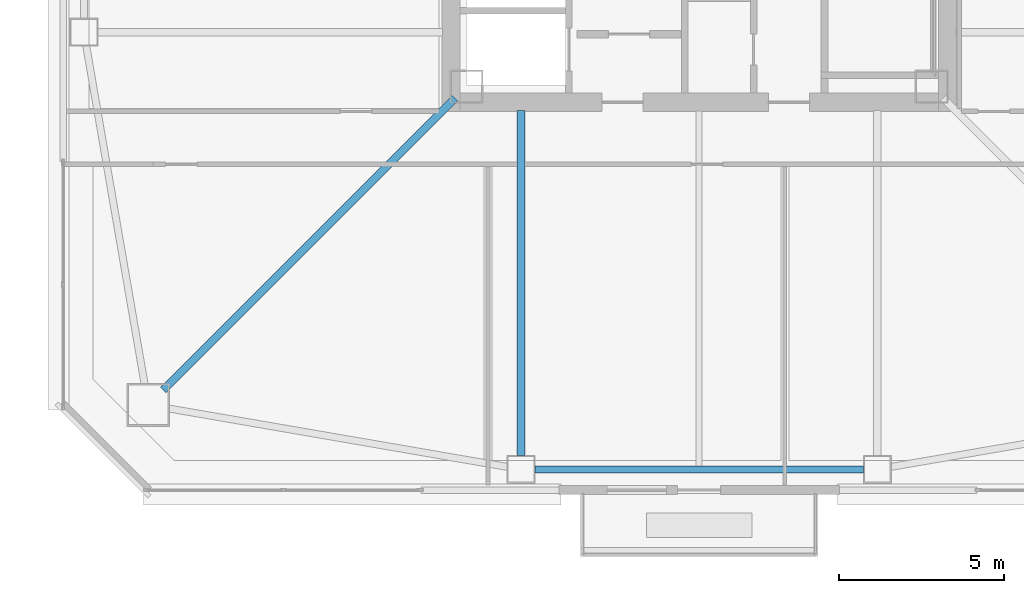
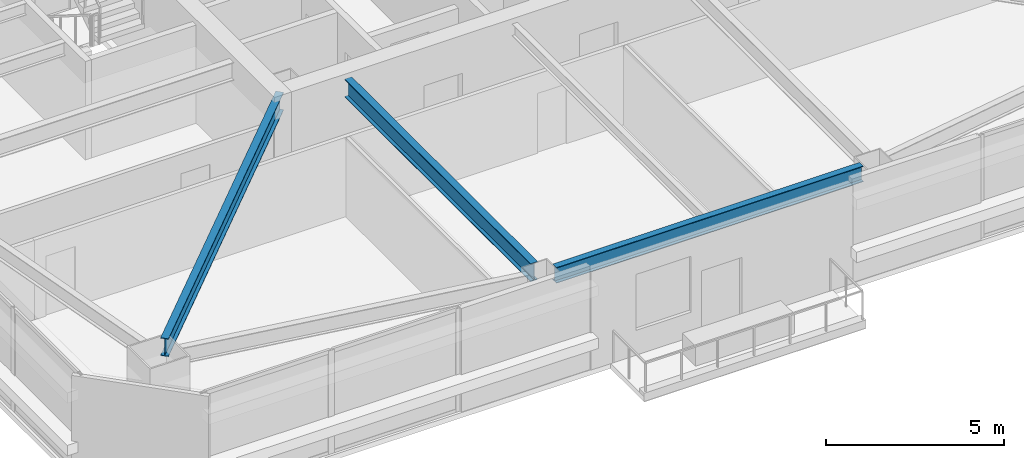
# One storey, part 5 of 48: 3 beams.
"""IFC4 building model written with IfcOpenShell, lengths in metres."""

from ifc_helpers import new_model, si_unit, direction, frame, origin, origin_2d, place, context, subcontext, project, spatial, i_section, extrude, material, material_profile, profile_set, type_object, element, save


model = new_model("IFC4")

# Units and contexts
model_context = context("Model", 3, precision=1e-05, world=origin(), true_north=direction((0.0, 1.0)))
body_context = subcontext(model_context, "Body", "Model", "MODEL_VIEW")
ifc_project = project(units=[si_unit("LENGTHUNIT", "METRE"), si_unit("AREAUNIT", "SQUARE_METRE"), si_unit("VOLUMEUNIT", "CUBIC_METRE"), si_unit("PLANEANGLEUNIT", "RADIAN"), si_unit("MASSUNIT", "GRAM", prefix="KILO")], contexts=[model_context])

# Site, building, storey
site_placement = place(None, origin())
site = spatial("IfcSite", under=ifc_project, at=site_placement, CompositionType="ELEMENT")
building_placement = place(site_placement, origin())
building = spatial("IfcBuilding", under=site, at=building_placement, Name="Tashvorn Skyway Center", CompositionType="ELEMENT")
storey_placement = place(building_placement, frame((0.0, 0.0, 125.050048828125)))
storey = spatial("IfcBuildingStorey", under=building, at=storey_placement, Name="L33", CompositionType="ELEMENT", Elevation=125.050048828125)

# Beams
ifc_material = material(Name="Steel ASTM A992 Grade 50", Category="steel")
ifc_material_profile_1 = material_profile(ifc_material, i_section(OverallWidth=0.22998046875, OverallDepth=0.616943359375, WebThickness=0.01318359375, FlangeThickness=0.022216796875, at=origin_2d()), Name="W24X94")
ifc_profile_set_1 = profile_set([ifc_material_profile_1], Name="Steel ASTM A992 Grade 50")
beam_type_1 = type_object("IfcBeamType", Name="BM-BEAM-W24X94", PredefinedType="BEAM", material=ifc_profile_set_1)
beam_1_placement = place(storey_placement, frame((25.756103515625, 15.756103515625, 3.0615234375), z_axis=(0.707106781187, 0.707106781187, 0.0), x_axis=(-0.707106781187, 0.707106781187, 0.0)))
element("IfcBeam", 1, at=beam_1_placement, inside=storey, type_object=beam_type_1, Name="Tower 1 L33 Primary Floor Girder MC-SW", PredefinedType="BEAM", context=body_context, shape_type="SweptSolid", body=[
    extrude(i_section(OverallWidth=0.22998046875, OverallDepth=0.616943359375, WebThickness=0.01318359375, FlangeThickness=0.022216796875, at=origin_2d()), origin(), (0.0, 0.0, 1.0), 12.50732421875),
])
beam_2_placement = place(storey_placement, frame((36.60009765625, 13.77001953125, 3.0615234375), z_axis=(0.0, 1.0, 0.0), x_axis=(-1.0, 0.0, 0.0)))
element("IfcBeam", 2, at=beam_2_placement, inside=storey, type_object=beam_type_1, Name="Tower 1 L33 Primary Floor Girder FC-S1", PredefinedType="BEAM", context=body_context, shape_type="SweptSolid", body=[
    extrude(i_section(OverallWidth=0.22998046875, OverallDepth=0.616943359375, WebThickness=0.01318359375, FlangeThickness=0.022216796875, at=origin_2d()), origin(), (0.0, 0.0, 1.0), 10.449951171875),
])
ifc_material_profile_2 = material_profile(ifc_material, i_section(OverallWidth=0.2109375, OverallDepth=0.5390625, WebThickness=0.01171875, FlangeThickness=0.018798828125, at=origin_2d()), Name="W21X73")
ifc_profile_set_2 = profile_set([ifc_material_profile_2], Name="Steel ASTM A992 Grade 50")
beam_type_2 = type_object("IfcBeamType", Name="BM-SPANDREL-W21X73", PredefinedType="SPANDREL", material=ifc_profile_set_2)
beam_3_placement = place(storey_placement, frame((37.02001953125, 13.35009765625, 3.100341796875), z_axis=(1.0, 0.0, 0.0), x_axis=(0.0, 1.0, 0.0)))
element("IfcBeam", 3, at=beam_3_placement, inside=storey, type_object=beam_type_2, Name="Tower 1 L33 Spandrel Beam 02", PredefinedType="SPANDREL", context=body_context, shape_type="SweptSolid", body=[
    extrude(i_section(OverallWidth=0.2109375, OverallDepth=0.5390625, WebThickness=0.01171875, FlangeThickness=0.018798828125, at=origin_2d()), origin(), (0.0, 0.0, 1.0), 9.9599609375),
])

save(model, "model.ifc")
